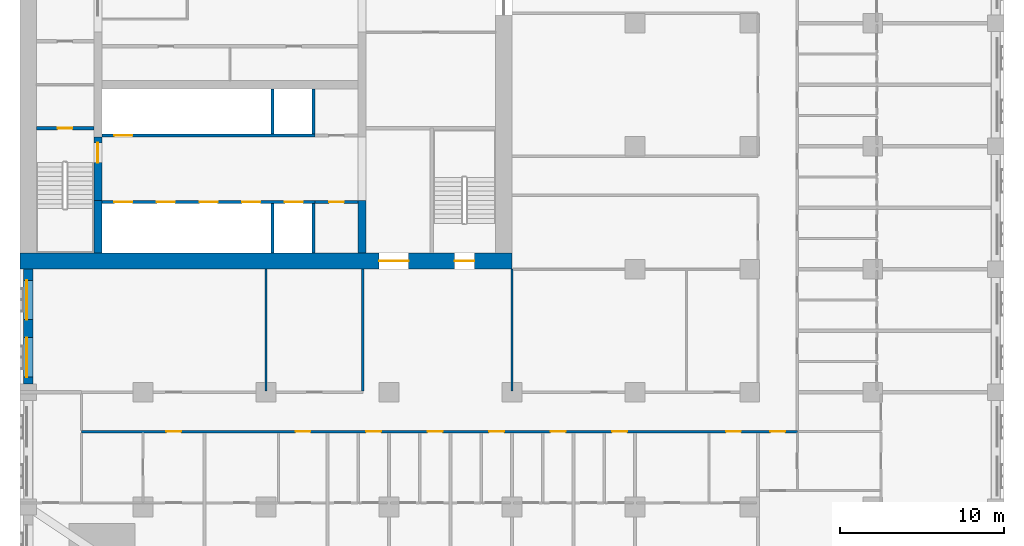
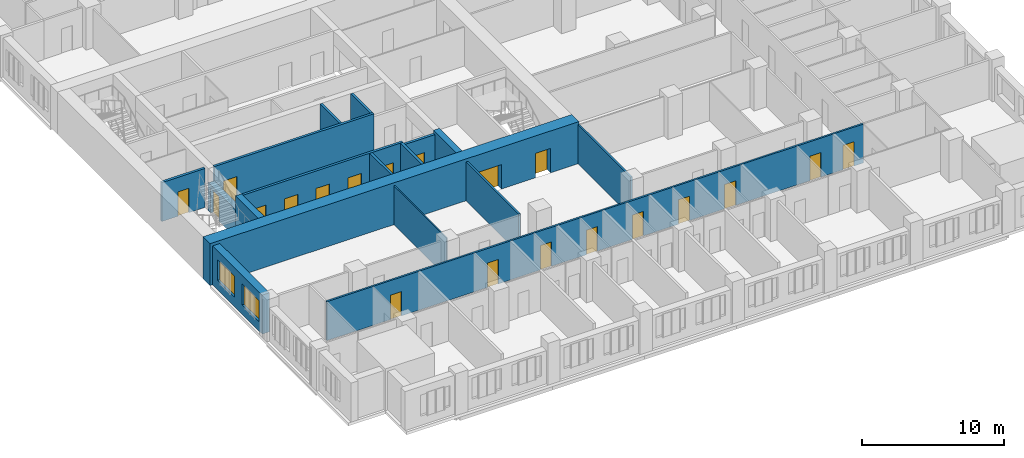
# One storey, part 5 of 15: 20 doors, 17 walls, 2 windows, 22 openings.
"""IFC4 building model written with IfcOpenShell, lengths in metres."""

from ifc_helpers import new_model, si_unit, direction, frame, frame_2d, origin, place, context, subcontext, project, spatial, rectangle, extrude, material, layer, layer_set, type_object, element, fill, save


model = new_model("IFC4")

# Units and contexts
model_context = context("Model", 3, precision=1e-05, world=origin(), true_north=direction((0.0, 1.0)))
body_context = subcontext(model_context, "Body", "Model", "MODEL_VIEW")
ifc_project = project(units=[si_unit("LENGTHUNIT", "METRE"), si_unit("AREAUNIT", "SQUARE_METRE"), si_unit("VOLUMEUNIT", "CUBIC_METRE"), si_unit("PLANEANGLEUNIT", "RADIAN"), si_unit("MASSUNIT", "GRAM", prefix="KILO")], contexts=[model_context])

# Site, building, storey
site_placement = place(None, origin())
site = spatial("IfcSite", under=ifc_project, at=site_placement, CompositionType="ELEMENT")
building_placement = place(site_placement, origin())
building = spatial("IfcBuilding", under=site, at=building_placement, Name="Tamorin Gate", CompositionType="ELEMENT")
storey_placement = place(building_placement, frame((0.0, 0.0, 48.39990234375)))
storey = spatial("IfcBuildingStorey", under=building, at=storey_placement, Name="L10", CompositionType="ELEMENT", Elevation=48.39990234375)

# Wall, openings, windows
ifc_material_1 = material(Name="Precast concrete C40/50", Category="concrete")
ifc_layer_1 = layer(ifc_material_1, 0.60009765625)
ifc_layer_set_1 = layer_set([ifc_layer_1], Name="Precast concrete C40/50")
wall_type_1 = type_object("IfcWallType", Name="Board-marked concrete facade panel 600", PredefinedType="SOLIDWALL", material=ifc_layer_set_1)
wall_1_placement = place(storey_placement, frame((30.5, 60.0, 0.0), z_axis=(0.0, 0.0, 1.0), x_axis=(0.0, -1.0, 0.0)))
wall_1 = element("IfcWall", 1, at=wall_1_placement, inside=storey, type_object=wall_type_1, Name="Facade panel", PredefinedType="SOLIDWALL", context=body_context, shape_type="SweptSolid", body=[
    extrude(rectangle(XDim=7.0, YDim=0.60009765625, at=frame_2d((3.5, 0.0))), origin(), (0.0, 0.0, 1.0), 3.35009765625),
])
opening_1_placement = place(wall_1_placement, frame((4.175048828125, 0.0, 0.800048828125)))
opening_1 = element("IfcOpeningElement", 2, at=opening_1_placement, cuts=wall_1, Name="Opening WN1", PredefinedType="OPENING", context=body_context, shape_type="SweptSolid", body=[
    extrude(rectangle(XDim=2.39990234375, YDim=1.800048828125, at=frame_2d((1.199951171875, 0.89990234375))), frame((0.0, 0.31005859375, 0.0), z_axis=(0.0, -1.0, 0.0), x_axis=(1.0, 0.0, 0.0)), (0.0, 0.0, 1.0), 0.6201171875),
])
opening_2_placement = place(wall_1_placement, frame((0.675048828125, 0.0, 0.800048828125)))
opening_2 = element("IfcOpeningElement", 3, at=opening_2_placement, cuts=wall_1, Name="Opening WN1", PredefinedType="OPENING", context=body_context, shape_type="SweptSolid", body=[
    extrude(rectangle(XDim=2.39990234375, YDim=1.800048828125, at=frame_2d((1.199951171875, 0.89990234375))), frame((0.0, 0.31005859375, 0.0), z_axis=(0.0, -1.0, 0.0), x_axis=(1.0, 0.0, 0.0)), (0.0, 0.0, 1.0), 0.6201171875),
])
ifc_material_2 = material(Name="Clear glass in aluminium frame", Category="aluminium")
window_type = type_object("IfcWindowType", Name="Deep-set window 2400x1800", PartitioningType="SINGLE_PANEL", PredefinedType="WINDOW", material=ifc_material_2)
window_1_placement = place(opening_1_placement, origin())
window_1 = element("IfcWindow", 4, at=window_1_placement, inside=storey, type_object=window_type, Name="Deep-set window", OverallHeight=1.800048828125, OverallWidth=2.39990234375, PartitioningType="SINGLE_PANEL", PredefinedType="WINDOW", context=body_context, shape_type="SweptSolid", body=[
    extrude(rectangle(XDim=2.39990234375, YDim=1.800048828125, at=frame_2d((1.199951171875, 0.89990234375))), frame((0.0, -0.070068359375, 0.0), z_axis=(0.0, -1.0, 0.0), x_axis=(1.0, 0.0, 0.0)), (0.0, 0.0, 1.0), 0.06005859375),
])
fill(opening_1, window_1)
window_2_placement = place(opening_2_placement, origin())
window_2 = element("IfcWindow", 5, at=window_2_placement, inside=storey, type_object=window_type, Name="Deep-set window", OverallHeight=1.800048828125, OverallWidth=2.39990234375, PartitioningType="SINGLE_PANEL", PredefinedType="WINDOW", context=body_context, shape_type="SweptSolid", body=[
    extrude(rectangle(XDim=2.39990234375, YDim=1.800048828125, at=frame_2d((1.199951171875, 0.89990234375))), frame((0.0, -0.070068359375, 0.0), z_axis=(0.0, -1.0, 0.0), x_axis=(1.0, 0.0, 0.0)), (0.0, 0.0, 1.0), 0.06005859375),
])
fill(opening_2, window_2)

# Wall, openings, doors
ifc_material_3 = material(Name="Gypsum board partition")
ifc_layer_2 = layer(ifc_material_3, 0.14990234375)
ifc_layer_set_2 = layer_set([ifc_layer_2], Name="Corridor wall 150")
wall_type_2 = type_object("IfcWallType", Name="Corridor wall 150", PredefinedType="PARTITIONING", material=ifc_layer_set_2)
wall_2_placement = place(storey_placement, frame((33.75, 50.10009765625, 0.0), z_axis=(0.0, 0.0, 1.0), x_axis=(1.0, 0.0, 0.0)))
wall_2 = element("IfcWall", 6, at=wall_2_placement, inside=storey, type_object=wall_type_2, Name="Corridor wall 150", PredefinedType="PARTITIONING", context=body_context, shape_type="SweptSolid", body=[
    extrude(rectangle(XDim=43.64990234375, YDim=0.14990234375, at=frame_2d((21.824951171875, 0.0))), origin(), (0.0, 0.0, 1.0), 3.35009765625),
])
opening_3_placement = place(wall_2_placement, frame((5.175048828125, 0.0, 0.0)))
opening_3 = element("IfcOpeningElement", 7, at=opening_3_placement, cuts=wall_2, Name="Opening DH1003", PredefinedType="OPENING", context=body_context, shape_type="SweptSolid", body=[
    extrude(rectangle(XDim=0.89990234375, YDim=2.10009765625, at=frame_2d((0.449951171875, 1.050048828125))), frame((0.0, 0.0849609375, 0.0), z_axis=(0.0, -1.0, 0.0), x_axis=(1.0, 0.0, 0.0)), (0.0, 0.0, 1.0), 0.169921875),
])
opening_4_placement = place(wall_2_placement, frame((13.050048828125, 0.0, 0.0)))
opening_4 = element("IfcOpeningElement", 8, at=opening_4_placement, cuts=wall_2, Name="Opening DH1006", PredefinedType="OPENING", context=body_context, shape_type="SweptSolid", body=[
    extrude(rectangle(XDim=0.89990234375, YDim=2.10009765625, at=frame_2d((0.449951171875, 1.050048828125))), frame((0.0, 0.0849609375, 0.0), z_axis=(0.0, -1.0, 0.0), x_axis=(1.0, 0.0, 0.0)), (0.0, 0.0, 1.0), 0.169921875),
])
opening_5_placement = place(wall_2_placement, frame((17.362548828125, 0.0, 0.0)))
opening_5 = element("IfcOpeningElement", 9, at=opening_5_placement, cuts=wall_2, Name="Opening DH1009", PredefinedType="OPENING", context=body_context, shape_type="SweptSolid", body=[
    extrude(rectangle(XDim=0.89990234375, YDim=2.10009765625, at=frame_2d((0.449951171875, 1.050048828125))), frame((0.0, 0.0849609375, 0.0), z_axis=(0.0, -1.0, 0.0), x_axis=(1.0, 0.0, 0.0)), (0.0, 0.0, 1.0), 0.169921875),
])
opening_6_placement = place(wall_2_placement, frame((21.112548828125, 0.0, 0.0)))
opening_6 = element("IfcOpeningElement", 10, at=opening_6_placement, cuts=wall_2, Name="Opening DH1012", PredefinedType="OPENING", context=body_context, shape_type="SweptSolid", body=[
    extrude(rectangle(XDim=0.89990234375, YDim=2.10009765625, at=frame_2d((0.449951171875, 1.050048828125))), frame((0.0, 0.0849609375, 0.0), z_axis=(0.0, -1.0, 0.0), x_axis=(1.0, 0.0, 0.0)), (0.0, 0.0, 1.0), 0.169921875),
])
opening_7_placement = place(wall_2_placement, frame((24.862548828125, 0.0, 0.0)))
opening_7 = element("IfcOpeningElement", 11, at=opening_7_placement, cuts=wall_2, Name="Opening DH1015", PredefinedType="OPENING", context=body_context, shape_type="SweptSolid", body=[
    extrude(rectangle(XDim=0.89990234375, YDim=2.10009765625, at=frame_2d((0.449951171875, 1.050048828125))), frame((0.0, 0.0849609375, 0.0), z_axis=(0.0, -1.0, 0.0), x_axis=(1.0, 0.0, 0.0)), (0.0, 0.0, 1.0), 0.169921875),
])
opening_8_placement = place(wall_2_placement, frame((28.612548828125, 0.0, 0.0)))
opening_8 = element("IfcOpeningElement", 12, at=opening_8_placement, cuts=wall_2, Name="Opening DH1018", PredefinedType="OPENING", context=body_context, shape_type="SweptSolid", body=[
    extrude(rectangle(XDim=0.89990234375, YDim=2.10009765625, at=frame_2d((0.449951171875, 1.050048828125))), frame((0.0, 0.0849609375, 0.0), z_axis=(0.0, -1.0, 0.0), x_axis=(1.0, 0.0, 0.0)), (0.0, 0.0, 1.0), 0.169921875),
])
opening_9_placement = place(wall_2_placement, frame((32.362548828125, 0.0, 0.0)))
opening_9 = element("IfcOpeningElement", 13, at=opening_9_placement, cuts=wall_2, Name="Opening DH1021", PredefinedType="OPENING", context=body_context, shape_type="SweptSolid", body=[
    extrude(rectangle(XDim=0.89990234375, YDim=2.10009765625, at=frame_2d((0.449951171875, 1.050048828125))), frame((0.0, 0.0849609375, 0.0), z_axis=(0.0, -1.0, 0.0), x_axis=(1.0, 0.0, 0.0)), (0.0, 0.0, 1.0), 0.169921875),
])
opening_10_placement = place(wall_2_placement, frame((39.300048828125, 0.0, 0.0)))
opening_10 = element("IfcOpeningElement", 14, at=opening_10_placement, cuts=wall_2, Name="Opening DH1024", PredefinedType="OPENING", context=body_context, shape_type="SweptSolid", body=[
    extrude(rectangle(XDim=0.89990234375, YDim=2.10009765625, at=frame_2d((0.449951171875, 1.050048828125))), frame((0.0, 0.0849609375, 0.0), z_axis=(0.0, -1.0, 0.0), x_axis=(1.0, 0.0, 0.0)), (0.0, 0.0, 1.0), 0.169921875),
])
opening_11_placement = place(wall_2_placement, frame((42.0, 0.0, 0.0)))
opening_11 = element("IfcOpeningElement", 15, at=opening_11_placement, cuts=wall_2, Name="Opening DH1081", PredefinedType="OPENING", context=body_context, shape_type="SweptSolid", body=[
    extrude(rectangle(XDim=0.89990234375, YDim=2.10009765625, at=frame_2d((0.449951171875, 1.050048828125))), frame((0.0, 0.0849609375, 0.0), z_axis=(0.0, -1.0, 0.0), x_axis=(1.0, 0.0, 0.0)), (0.0, 0.0, 1.0), 0.169921875),
])
ifc_material_4 = material(Name="Timber door leaf", Category="wood")
door_type_1 = type_object("IfcDoorType", Name="Door 900 x 2100 FD30S", OperationType="NOTDEFINED", PredefinedType="DOOR", material=ifc_material_4)
door_1_placement = place(opening_3_placement, origin())
door_1 = element("IfcDoor", 16, at=door_1_placement, inside=storey, type_object=door_type_1, Name="Door DH1003", OperationType="SINGLE_SWING_RIGHT", OverallHeight=2.10009765625, OverallWidth=0.89990234375, PredefinedType="DOOR", context=body_context, shape_type="SweptSolid", body=[
    extrude(rectangle(XDim=0.89990234375, YDim=2.10009765625, at=frame_2d((0.449951171875, 1.050048828125))), frame((0.0, 0.02490234375, 0.0), z_axis=(0.0, -1.0, 0.0), x_axis=(1.0, 0.0, 0.0)), (0.0, 0.0, 1.0), 0.050048828125),
])
fill(opening_3, door_1)
door_2_placement = place(opening_4_placement, origin())
door_2 = element("IfcDoor", 17, at=door_2_placement, inside=storey, type_object=door_type_1, Name="Door DH1006", OperationType="SINGLE_SWING_RIGHT", OverallHeight=2.10009765625, OverallWidth=0.89990234375, PredefinedType="DOOR", context=body_context, shape_type="SweptSolid", body=[
    extrude(rectangle(XDim=0.89990234375, YDim=2.10009765625, at=frame_2d((0.449951171875, 1.050048828125))), frame((0.0, 0.02490234375, 0.0), z_axis=(0.0, -1.0, 0.0), x_axis=(1.0, 0.0, 0.0)), (0.0, 0.0, 1.0), 0.050048828125),
])
fill(opening_4, door_2)
door_3_placement = place(opening_5_placement, origin())
door_3 = element("IfcDoor", 18, at=door_3_placement, inside=storey, type_object=door_type_1, Name="Door DH1009", OperationType="SINGLE_SWING_RIGHT", OverallHeight=2.10009765625, OverallWidth=0.89990234375, PredefinedType="DOOR", context=body_context, shape_type="SweptSolid", body=[
    extrude(rectangle(XDim=0.89990234375, YDim=2.10009765625, at=frame_2d((0.449951171875, 1.050048828125))), frame((0.0, 0.02490234375, 0.0), z_axis=(0.0, -1.0, 0.0), x_axis=(1.0, 0.0, 0.0)), (0.0, 0.0, 1.0), 0.050048828125),
])
fill(opening_5, door_3)
door_4_placement = place(opening_6_placement, origin())
door_4 = element("IfcDoor", 19, at=door_4_placement, inside=storey, type_object=door_type_1, Name="Door DH1012", OperationType="SINGLE_SWING_RIGHT", OverallHeight=2.10009765625, OverallWidth=0.89990234375, PredefinedType="DOOR", context=body_context, shape_type="SweptSolid", body=[
    extrude(rectangle(XDim=0.89990234375, YDim=2.10009765625, at=frame_2d((0.449951171875, 1.050048828125))), frame((0.0, 0.02490234375, 0.0), z_axis=(0.0, -1.0, 0.0), x_axis=(1.0, 0.0, 0.0)), (0.0, 0.0, 1.0), 0.050048828125),
])
fill(opening_6, door_4)
door_5_placement = place(opening_7_placement, origin())
door_5 = element("IfcDoor", 20, at=door_5_placement, inside=storey, type_object=door_type_1, Name="Door DH1015", OperationType="SINGLE_SWING_RIGHT", OverallHeight=2.10009765625, OverallWidth=0.89990234375, PredefinedType="DOOR", context=body_context, shape_type="SweptSolid", body=[
    extrude(rectangle(XDim=0.89990234375, YDim=2.10009765625, at=frame_2d((0.449951171875, 1.050048828125))), frame((0.0, 0.02490234375, 0.0), z_axis=(0.0, -1.0, 0.0), x_axis=(1.0, 0.0, 0.0)), (0.0, 0.0, 1.0), 0.050048828125),
])
fill(opening_7, door_5)
door_6_placement = place(opening_8_placement, origin())
door_6 = element("IfcDoor", 21, at=door_6_placement, inside=storey, type_object=door_type_1, Name="Door DH1018", OperationType="SINGLE_SWING_RIGHT", OverallHeight=2.10009765625, OverallWidth=0.89990234375, PredefinedType="DOOR", context=body_context, shape_type="SweptSolid", body=[
    extrude(rectangle(XDim=0.89990234375, YDim=2.10009765625, at=frame_2d((0.449951171875, 1.050048828125))), frame((0.0, 0.02490234375, 0.0), z_axis=(0.0, -1.0, 0.0), x_axis=(1.0, 0.0, 0.0)), (0.0, 0.0, 1.0), 0.050048828125),
])
fill(opening_8, door_6)
door_7_placement = place(opening_9_placement, origin())
door_7 = element("IfcDoor", 22, at=door_7_placement, inside=storey, type_object=door_type_1, Name="Door DH1021", OperationType="SINGLE_SWING_RIGHT", OverallHeight=2.10009765625, OverallWidth=0.89990234375, PredefinedType="DOOR", context=body_context, shape_type="SweptSolid", body=[
    extrude(rectangle(XDim=0.89990234375, YDim=2.10009765625, at=frame_2d((0.449951171875, 1.050048828125))), frame((0.0, 0.02490234375, 0.0), z_axis=(0.0, -1.0, 0.0), x_axis=(1.0, 0.0, 0.0)), (0.0, 0.0, 1.0), 0.050048828125),
])
fill(opening_9, door_7)
door_8_placement = place(opening_10_placement, origin())
door_8 = element("IfcDoor", 23, at=door_8_placement, inside=storey, type_object=door_type_1, Name="Door DH1024", OperationType="SINGLE_SWING_RIGHT", OverallHeight=2.10009765625, OverallWidth=0.89990234375, PredefinedType="DOOR", context=body_context, shape_type="SweptSolid", body=[
    extrude(rectangle(XDim=0.89990234375, YDim=2.10009765625, at=frame_2d((0.449951171875, 1.050048828125))), frame((0.0, 0.02490234375, 0.0), z_axis=(0.0, -1.0, 0.0), x_axis=(1.0, 0.0, 0.0)), (0.0, 0.0, 1.0), 0.050048828125),
])
fill(opening_10, door_8)
door_9_placement = place(opening_11_placement, origin())
door_9 = element("IfcDoor", 24, at=door_9_placement, inside=storey, type_object=door_type_1, Name="Door DH1081", OperationType="SINGLE_SWING_LEFT", OverallHeight=2.10009765625, OverallWidth=0.89990234375, PredefinedType="DOOR", context=body_context, shape_type="SweptSolid", body=[
    extrude(rectangle(XDim=0.89990234375, YDim=2.10009765625, at=frame_2d((0.449951171875, 1.050048828125))), frame((0.0, 0.02490234375, 0.0), z_axis=(0.0, -1.0, 0.0), x_axis=(1.0, 0.0, 0.0)), (0.0, 0.0, 1.0), 0.050048828125),
])
fill(opening_11, door_9)

ifc_material_5 = material(Name="Concrete C32/40", Category="concrete")
ifc_layer_3 = layer(ifc_material_5, 0.199951171875)
ifc_layer_set_3 = layer_set([ifc_layer_3], Name="Lift lobby face wall 200 EI 120")
wall_type_3 = type_object("IfcWallType", Name="Lift lobby face wall 200 EI 120", PredefinedType="SOLIDWALL", material=ifc_layer_set_3)
wall_3_placement = place(storey_placement, frame((35.0, 64.10009765625, 0.0), z_axis=(0.0, 0.0, 1.0), x_axis=(1.0, 0.0, 0.0)))
wall_3 = element("IfcWall", 25, at=wall_3_placement, inside=storey, type_object=wall_type_3, Name="Lift lobby face wall", PredefinedType="SOLIDWALL", context=body_context, shape_type="SweptSolid", body=[
    extrude(rectangle(XDim=13.0, YDim=0.199951171875, at=frame_2d((6.5, 0.0))), origin(), (0.0, 0.0, 1.0), 3.60009765625),
])
opening_12_placement = place(wall_3_placement, frame((0.75, 0.0, 0.0)))
opening_12 = element("IfcOpeningElement", 26, at=opening_12_placement, cuts=wall_3, Name="Opening LD1", PredefinedType="OPENING", context=body_context, shape_type="SweptSolid", body=[
    extrude(rectangle(XDim=1.10009765625, YDim=2.10009765625, at=frame_2d((0.550048828125, 1.050048828125))), frame((0.0, 0.10986328125, 0.0), z_axis=(0.0, -1.0, 0.0), x_axis=(1.0, 0.0, 0.0)), (0.0, 0.0, 1.0), 0.219970703125),
])
opening_13_placement = place(wall_3_placement, frame((3.35009765625, 0.0, 0.0)))
opening_13 = element("IfcOpeningElement", 27, at=opening_13_placement, cuts=wall_3, Name="Opening LD2", PredefinedType="OPENING", context=body_context, shape_type="SweptSolid", body=[
    extrude(rectangle(XDim=1.10009765625, YDim=2.10009765625, at=frame_2d((0.550048828125, 1.050048828125))), frame((0.0, 0.10986328125, 0.0), z_axis=(0.0, -1.0, 0.0), x_axis=(1.0, 0.0, 0.0)), (0.0, 0.0, 1.0), 0.219970703125),
])
opening_14_placement = place(wall_3_placement, frame((5.949951171875, 0.0, 0.0)))
opening_14 = element("IfcOpeningElement", 28, at=opening_14_placement, cuts=wall_3, Name="Opening LD3", PredefinedType="OPENING", context=body_context, shape_type="SweptSolid", body=[
    extrude(rectangle(XDim=1.10009765625, YDim=2.10009765625, at=frame_2d((0.550048828125, 1.050048828125))), frame((0.0, 0.10986328125, 0.0), z_axis=(0.0, -1.0, 0.0), x_axis=(1.0, 0.0, 0.0)), (0.0, 0.0, 1.0), 0.219970703125),
])
opening_15_placement = place(wall_3_placement, frame((8.550048828125, 0.0, 0.0)))
opening_15 = element("IfcOpeningElement", 29, at=opening_15_placement, cuts=wall_3, Name="Opening LD4", PredefinedType="OPENING", context=body_context, shape_type="SweptSolid", body=[
    extrude(rectangle(XDim=1.10009765625, YDim=2.10009765625, at=frame_2d((0.550048828125, 1.050048828125))), frame((0.0, 0.10986328125, 0.0), z_axis=(0.0, -1.0, 0.0), x_axis=(1.0, 0.0, 0.0)), (0.0, 0.0, 1.0), 0.219970703125),
])
opening_16_placement = place(wall_3_placement, frame((11.14990234375, 0.0, 0.0)))
opening_16 = element("IfcOpeningElement", 30, at=opening_16_placement, cuts=wall_3, Name="Opening LD5", PredefinedType="OPENING", context=body_context, shape_type="SweptSolid", body=[
    extrude(rectangle(XDim=1.10009765625, YDim=2.10009765625, at=frame_2d((0.550048828125, 1.050048828125))), frame((0.0, 0.10986328125, 0.0), z_axis=(0.0, -1.0, 0.0), x_axis=(1.0, 0.0, 0.0)), (0.0, 0.0, 1.0), 0.219970703125),
])
ifc_material_6 = material(Name="Stainless steel sliding door", Category="steel")
door_type_2 = type_object("IfcDoorType", Name="Lift landing door 1100 x 2100 E 90", OperationType="DOUBLE_DOOR_SLIDING", PredefinedType="DOOR", material=ifc_material_6)
door_10_placement = place(opening_12_placement, origin())
door_10 = element("IfcDoor", 31, at=door_10_placement, inside=storey, type_object=door_type_2, Name="LR1 landing door", OperationType="DOUBLE_DOOR_SLIDING", OverallHeight=2.10009765625, OverallWidth=1.10009765625, PredefinedType="DOOR", context=body_context, shape_type="SweptSolid", body=[
    extrude(rectangle(XDim=1.10009765625, YDim=2.10009765625, at=frame_2d((0.550048828125, 1.050048828125))), frame((0.0, 0.02490234375, 0.0), z_axis=(0.0, -1.0, 0.0), x_axis=(1.0, 0.0, 0.0)), (0.0, 0.0, 1.0), 0.050048828125),
])
fill(opening_12, door_10)
door_11_placement = place(opening_13_placement, origin())
door_11 = element("IfcDoor", 32, at=door_11_placement, inside=storey, type_object=door_type_2, Name="LR2 landing door", OperationType="DOUBLE_DOOR_SLIDING", OverallHeight=2.10009765625, OverallWidth=1.10009765625, PredefinedType="DOOR", context=body_context, shape_type="SweptSolid", body=[
    extrude(rectangle(XDim=1.10009765625, YDim=2.10009765625, at=frame_2d((0.550048828125, 1.050048828125))), frame((0.0, 0.02490234375, 0.0), z_axis=(0.0, -1.0, 0.0), x_axis=(1.0, 0.0, 0.0)), (0.0, 0.0, 1.0), 0.050048828125),
])
fill(opening_13, door_11)
door_12_placement = place(opening_14_placement, origin())
door_12 = element("IfcDoor", 33, at=door_12_placement, inside=storey, type_object=door_type_2, Name="LR3 landing door", OperationType="DOUBLE_DOOR_SLIDING", OverallHeight=2.10009765625, OverallWidth=1.10009765625, PredefinedType="DOOR", context=body_context, shape_type="SweptSolid", body=[
    extrude(rectangle(XDim=1.10009765625, YDim=2.10009765625, at=frame_2d((0.550048828125, 1.050048828125))), frame((0.0, 0.02490234375, 0.0), z_axis=(0.0, -1.0, 0.0), x_axis=(1.0, 0.0, 0.0)), (0.0, 0.0, 1.0), 0.050048828125),
])
fill(opening_14, door_12)
door_13_placement = place(opening_15_placement, origin())
door_13 = element("IfcDoor", 34, at=door_13_placement, inside=storey, type_object=door_type_2, Name="LR4 landing door", OperationType="DOUBLE_DOOR_SLIDING", OverallHeight=2.10009765625, OverallWidth=1.10009765625, PredefinedType="DOOR", context=body_context, shape_type="SweptSolid", body=[
    extrude(rectangle(XDim=1.10009765625, YDim=2.10009765625, at=frame_2d((0.550048828125, 1.050048828125))), frame((0.0, 0.02490234375, 0.0), z_axis=(0.0, -1.0, 0.0), x_axis=(1.0, 0.0, 0.0)), (0.0, 0.0, 1.0), 0.050048828125),
])
fill(opening_15, door_13)
door_14_placement = place(opening_16_placement, origin())
door_14 = element("IfcDoor", 35, at=door_14_placement, inside=storey, type_object=door_type_2, Name="LR5 landing door", OperationType="DOUBLE_DOOR_SLIDING", OverallHeight=2.10009765625, OverallWidth=1.10009765625, PredefinedType="DOOR", context=body_context, shape_type="SweptSolid", body=[
    extrude(rectangle(XDim=1.10009765625, YDim=2.10009765625, at=frame_2d((0.550048828125, 1.050048828125))), frame((0.0, 0.02490234375, 0.0), z_axis=(0.0, -1.0, 0.0), x_axis=(1.0, 0.0, 0.0)), (0.0, 0.0, 1.0), 0.050048828125),
])
fill(opening_16, door_14)

# Wall, opening, door
wall_4_placement = place(storey_placement, frame((35.0, 68.14990234375, 0.0), z_axis=(0.0, 0.0, 1.0), x_axis=(1.0, 0.0, 0.0)))
wall_4 = element("IfcWall", 36, at=wall_4_placement, inside=storey, type_object=wall_type_3, Name="Lift lobby face wall", PredefinedType="SOLIDWALL", context=body_context, shape_type="SweptSolid", body=[
    extrude(rectangle(XDim=13.0, YDim=0.199951171875, at=frame_2d((6.5, 0.0))), origin(), (0.0, 0.0, 1.0), 3.60009765625),
])
opening_17_placement = place(wall_4_placement, frame((0.75, 0.0, 0.0)))
opening_17 = element("IfcOpeningElement", 37, at=opening_17_placement, cuts=wall_4, Name="Opening LD6", PredefinedType="OPENING", context=body_context, shape_type="SweptSolid", body=[
    extrude(rectangle(XDim=1.10009765625, YDim=2.10009765625, at=frame_2d((0.550048828125, 1.050048828125))), frame((0.0, 0.10986328125, 0.0), z_axis=(0.0, -1.0, 0.0), x_axis=(1.0, 0.0, 0.0)), (0.0, 0.0, 1.0), 0.219970703125),
])
door_15_placement = place(opening_17_placement, origin())
door_15 = element("IfcDoor", 38, at=door_15_placement, inside=storey, type_object=door_type_2, Name="LR6 landing door", OperationType="DOUBLE_DOOR_SLIDING", OverallHeight=2.10009765625, OverallWidth=1.10009765625, PredefinedType="DOOR", context=body_context, shape_type="SweptSolid", body=[
    extrude(rectangle(XDim=1.10009765625, YDim=2.10009765625, at=frame_2d((0.550048828125, 1.050048828125))), frame((0.0, 0.02490234375, 0.0), z_axis=(0.0, -1.0, 0.0), x_axis=(1.0, 0.0, 0.0)), (0.0, 0.0, 1.0), 0.050048828125),
])
fill(opening_17, door_15)

# Walls
ifc_layer_4 = layer(ifc_material_5, 0.199951171875)
ifc_layer_set_4 = layer_set([ifc_layer_4], Name="Lift shaft wall 200 EI 120")
wall_type_4 = type_object("IfcWallType", Name="Lift shaft wall 200 EI 120", PredefinedType="SOLIDWALL", material=ifc_layer_set_4)
for number, where, z_axis, x_axis, name in (
    (39, (45.39990234375, 61.0, 0.0), (0.0, 0.0, 1.0), (0.0, 1.0, 0.0), "Lift shaft wall"),
    (40, (47.89990234375, 61.0, 0.0), (0.0, 0.0, 1.0), (0.0, 1.0, 0.0), "Lift shaft wall"),
):
    element("IfcWall", number, at=place(storey_placement, frame(where, z_axis=z_axis, x_axis=x_axis)), inside=storey, type_object=wall_type_4, Name=name, PredefinedType="SOLIDWALL", context=body_context, shape_type="SweptSolid", body=[
        extrude(rectangle(XDim=3.0, YDim=0.199951171875, at=frame_2d((1.5, 0.0))), origin(), (0.0, 0.0, 1.0), 3.60009765625),
    ])
for number, where, z_axis, x_axis, name in (
    (41, (45.39990234375, 68.25, 0.0), (0.0, 0.0, 1.0), (0.0, 1.0, 0.0), "Lift shaft wall"),
    (42, (47.89990234375, 68.25, 0.0), (0.0, 0.0, 1.0), (0.0, 1.0, 0.0), "Lift shaft wall"),
):
    element("IfcWall", number, at=place(storey_placement, frame(where, z_axis=z_axis, x_axis=x_axis)), inside=storey, type_object=wall_type_4, Name=name, PredefinedType="SOLIDWALL", context=body_context, shape_type="SweptSolid", body=[
        extrude(rectangle(XDim=2.75, YDim=0.199951171875, at=frame_2d((1.375, 0.0))), origin(), (0.0, 0.0, 1.0), 3.60009765625),
    ])
ifc_layer_5 = layer(ifc_material_3, 0.14990234375)
ifc_layer_set_5 = layer_set([ifc_layer_5], Name="Lobby wall 150")
wall_type_5 = type_object("IfcWallType", Name="Lobby wall 150", PredefinedType="PARTITIONING", material=ifc_layer_set_5)
for number, where, z_axis, x_axis, name in (
    (43, (50.89990234375, 52.574951171875, 0.0), (0.0, 0.0, 1.0), (0.0, 1.0, 0.0), "Lobby wall 150"),
    (44, (60.0, 52.574951171875, 0.0), (0.0, 0.0, 1.0), (0.0, 1.0, 0.0), "Lobby wall 150"),
):
    element("IfcWall", number, at=place(storey_placement, frame(where, z_axis=z_axis, x_axis=x_axis)), inside=storey, type_object=wall_type_5, Name=name, PredefinedType="PARTITIONING", context=body_context, shape_type="SweptSolid", body=[
        extrude(rectangle(XDim=7.425048828125, YDim=0.14990234375, at=frame_2d((3.71240234375, 0.0))), origin(), (0.0, 0.0, 1.0), 3.35009765625),
    ])
ifc_material_7 = material(Name="Concrete C80/95", Category="concrete")
ifc_layer_6 = layer(ifc_material_7, 0.5)
ifc_layer_set_6 = layer_set([ifc_layer_6], Name="RC core internal wall 500 C80/95")
wall_type_6 = type_object("IfcWallType", Name="RC core internal wall 500 C80/95", PredefinedType="SHEAR", material=ifc_layer_set_6)
for number, where, z_axis, x_axis, name in (
    (45, (34.75, 61.0, 0.0), (0.0, 0.0, 1.0), (0.0, 1.0, 0.0), "Core cross wall L10"),
    (46, (50.85009765625, 61.0, 0.0), (0.0, 0.0, 1.0), (0.0, 1.0, 0.0), "Core cross wall L10"),
):
    element("IfcWall", number, at=place(storey_placement, frame(where, z_axis=z_axis, x_axis=x_axis)), inside=storey, type_object=wall_type_6, Name=name, PredefinedType="SHEAR", context=body_context, shape_type="SweptSolid", body=[
        extrude(rectangle(XDim=3.199951171875, YDim=0.5, at=frame_2d((1.60009765625, 0.0))), origin(), (0.0, 0.0, 1.0), 3.60009765625),
    ])

# Wall, openings, doors
ifc_layer_7 = layer(ifc_material_7, 1.0)
ifc_layer_set_7 = layer_set([ifc_layer_7], Name="RC core wall 1000 C80/95")
wall_type_7 = type_object("IfcWallType", Name="RC core wall 1000 C80/95", PredefinedType="SHEAR", material=ifc_layer_set_7)
wall_5_placement = place(storey_placement, frame((30.0, 60.5, 0.0), z_axis=(0.0, 0.0, 1.0), x_axis=(1.0, 0.0, 0.0)))
wall_5 = element("IfcWall", 47, at=wall_5_placement, inside=storey, type_object=wall_type_7, Name="Core wall L10", PredefinedType="SHEAR", context=body_context, shape_type="SweptSolid", body=[
    extrude(rectangle(XDim=30.0, YDim=1.0, at=frame_2d((15.0, 0.0))), origin(), (0.0, 0.0, 1.0), 3.60009765625),
])
opening_18_placement = place(wall_5_placement, frame((21.89990234375, 0.0, 0.0)))
opening_18 = element("IfcOpeningElement", 48, at=opening_18_placement, cuts=wall_5, Name="Opening DE1", PredefinedType="OPENING", context=body_context, shape_type="SweptSolid", body=[
    extrude(rectangle(XDim=1.800048828125, YDim=2.10009765625, at=frame_2d((0.89990234375, 1.050048828125))), frame((0.0, 0.510009765625, 0.0), z_axis=(0.0, -1.0, 0.0), x_axis=(1.0, 0.0, 0.0)), (0.0, 0.0, 1.0), 1.02001953125),
])
opening_19_placement = place(wall_5_placement, frame((26.5, 0.0, 0.0)))
opening_19 = element("IfcOpeningElement", 49, at=opening_19_placement, cuts=wall_5, Name="Opening DS1", PredefinedType="OPENING", context=body_context, shape_type="SweptSolid", body=[
    extrude(rectangle(XDim=1.199951171875, YDim=2.10009765625, at=frame_2d((0.60009765625, 1.050048828125))), frame((0.0, 0.510009765625, 0.0), z_axis=(0.0, -1.0, 0.0), x_axis=(1.0, 0.0, 0.0)), (0.0, 0.0, 1.0), 1.02001953125),
])
ifc_material_8 = material(Name="Steel fire door", Category="steel")
door_type_3 = type_object("IfcDoorType", Name="Lobby exit double door 1800 x 2100 EI 60", OperationType="DOUBLE_DOOR_SINGLE_SWING", PredefinedType="DOOR", material=ifc_material_8)
door_16_placement = place(opening_18_placement, origin())
door_16 = element("IfcDoor", 50, at=door_16_placement, inside=storey, type_object=door_type_3, Name="Lift lobby A exit door", OperationType="DOUBLE_DOOR_SINGLE_SWING", OverallHeight=2.10009765625, OverallWidth=1.800048828125, PredefinedType="DOOR", context=body_context, shape_type="SweptSolid", body=[
    extrude(rectangle(XDim=1.800048828125, YDim=2.10009765625, at=frame_2d((0.89990234375, 1.050048828125))), frame((0.0, 0.02490234375, 0.0), z_axis=(0.0, -1.0, 0.0), x_axis=(1.0, 0.0, 0.0)), (0.0, 0.0, 1.0), 0.050048828125),
])
fill(opening_18, door_16)
door_type_4 = type_object("IfcDoorType", Name="Stair door 1200 x 2100 EI 90", OperationType="SINGLE_SWING_LEFT", PredefinedType="DOOR", material=ifc_material_8)
door_17_placement = place(opening_19_placement, origin())
door_17 = element("IfcDoor", 51, at=door_17_placement, inside=storey, type_object=door_type_4, Name="ST3 door", OperationType="SINGLE_SWING_LEFT", OverallHeight=2.10009765625, OverallWidth=1.199951171875, PredefinedType="DOOR", context=body_context, shape_type="SweptSolid", body=[
    extrude(rectangle(XDim=1.199951171875, YDim=2.10009765625, at=frame_2d((0.60009765625, 1.050048828125))), frame((0.0, 0.02490234375, 0.0), z_axis=(0.0, -1.0, 0.0), x_axis=(1.0, 0.0, 0.0)), (0.0, 0.0, 1.0), 0.050048828125),
])
fill(opening_19, door_17)

# Wall
ifc_layer_8 = layer(ifc_material_3, 0.10009765625)
ifc_layer_set_8 = layer_set([ifc_layer_8], Name="Room partition 100")
wall_type_8 = type_object("IfcWallType", Name="Room partition 100", PredefinedType="PARTITIONING", material=ifc_layer_set_8)
wall_6_placement = place(storey_placement, frame((45.0, 52.574951171875, 0.0), z_axis=(0.0, 0.0, 1.0), x_axis=(0.0, 1.0, 0.0)))
element("IfcWall", 52, at=wall_6_placement, inside=storey, type_object=wall_type_8, Name="Room partition 100", PredefinedType="PARTITIONING", context=body_context, shape_type="SweptSolid", body=[
    extrude(rectangle(XDim=7.425048828125, YDim=0.10009765625, at=frame_2d((3.71240234375, 0.0))), origin(), (0.0, 0.0, 1.0), 3.35009765625),
])

# Wall, opening, door
ifc_layer_9 = layer(ifc_material_3, 0.199951171875)
ifc_layer_set_9 = layer_set([ifc_layer_9], Name="Service room face wall 200 EI 60")
wall_type_9 = type_object("IfcWallType", Name="Service room face wall 200 EI 60", PredefinedType="PARTITIONING", material=ifc_layer_set_9)
wall_7_placement = place(storey_placement, frame((48.0, 64.10009765625, 0.0), z_axis=(0.0, 0.0, 1.0), x_axis=(1.0, 0.0, 0.0)))
wall_7 = element("IfcWall", 53, at=wall_7_placement, inside=storey, type_object=wall_type_9, Name="Service room face wall", PredefinedType="PARTITIONING", context=body_context, shape_type="SweptSolid", body=[
    extrude(rectangle(XDim=2.60009765625, YDim=0.199951171875, at=frame_2d((1.300048828125, 0.0))), origin(), (0.0, 0.0, 1.0), 3.35009765625),
])
opening_20_placement = place(wall_7_placement, frame((0.85009765625, 0.0, 0.0)))
opening_20 = element("IfcOpeningElement", 54, at=opening_20_placement, cuts=wall_7, Name="Opening DK1", PredefinedType="OPENING", context=body_context, shape_type="SweptSolid", body=[
    extrude(rectangle(XDim=0.89990234375, YDim=2.10009765625, at=frame_2d((0.449951171875, 1.050048828125))), frame((0.0, 0.10986328125, 0.0), z_axis=(0.0, -1.0, 0.0), x_axis=(1.0, 0.0, 0.0)), (0.0, 0.0, 1.0), 0.219970703125),
])
ifc_material_9 = material(Name="Timber fire door", Category="wood")
door_type_5 = type_object("IfcDoorType", Name="Service room door 900 x 2100 EI 60", OperationType="SINGLE_SWING_LEFT", PredefinedType="DOOR", material=ifc_material_9)
door_18_placement = place(opening_20_placement, origin())
door_18 = element("IfcDoor", 55, at=door_18_placement, inside=storey, type_object=door_type_5, Name="Door Pantry", OperationType="SINGLE_SWING_RIGHT", OverallHeight=2.10009765625, OverallWidth=0.89990234375, PredefinedType="DOOR", context=body_context, shape_type="SweptSolid", body=[
    extrude(rectangle(XDim=0.89990234375, YDim=2.10009765625, at=frame_2d((0.449951171875, 1.050048828125))), frame((0.0, 0.02490234375, 0.0), z_axis=(0.0, -1.0, 0.0), x_axis=(1.0, 0.0, 0.0)), (0.0, 0.0, 1.0), 0.050048828125),
])
fill(opening_20, door_18)

ifc_material_10 = material(Name="Concrete C40/50", Category="concrete")
ifc_layer_10 = layer(ifc_material_10, 0.199951171875)
ifc_layer_set_10 = layer_set([ifc_layer_10], Name="Stair enclosure wall 200 EI 120 C40/50")
wall_type_10 = type_object("IfcWallType", Name="Stair enclosure wall 200 EI 120 C40/50", PredefinedType="SOLIDWALL", material=ifc_layer_set_10)
wall_8_placement = place(storey_placement, frame((31.0, 68.60009765625, 0.0), z_axis=(0.0, 0.0, 1.0), x_axis=(1.0, 0.0, 0.0)))
wall_8 = element("IfcWall", 56, at=wall_8_placement, inside=storey, type_object=wall_type_10, Name="Stair enclosure wall", PredefinedType="SOLIDWALL", context=body_context, shape_type="SweptSolid", body=[
    extrude(rectangle(XDim=3.5, YDim=0.199951171875, at=frame_2d((1.75, 0.0))), origin(), (0.0, 0.0, 1.0), 3.35009765625),
])
opening_21_placement = place(wall_8_placement, frame((1.300048828125, 0.0, 0.0)))
opening_21 = element("IfcOpeningElement", 57, at=opening_21_placement, cuts=wall_8, Name="Opening DR1", PredefinedType="OPENING", context=body_context, shape_type="SweptSolid", body=[
    extrude(rectangle(XDim=0.89990234375, YDim=2.10009765625, at=frame_2d((0.449951171875, 1.050048828125))), frame((0.0, 0.10986328125, 0.0), z_axis=(0.0, -1.0, 0.0), x_axis=(1.0, 0.0, 0.0)), (0.0, 0.0, 1.0), 0.219970703125),
])
door_type_6 = type_object("IfcDoorType", Name="Riser access door 900 x 2100 EI 120", OperationType="SINGLE_SWING_LEFT", PredefinedType="DOOR", material=ifc_material_8)
door_19_placement = place(opening_21_placement, origin())
door_19 = element("IfcDoor", 58, at=door_19_placement, inside=storey, type_object=door_type_6, Name="Electrical riser door", OperationType="SINGLE_SWING_LEFT", OverallHeight=2.10009765625, OverallWidth=0.89990234375, PredefinedType="DOOR", context=body_context, shape_type="SweptSolid", body=[
    extrude(rectangle(XDim=0.89990234375, YDim=2.10009765625, at=frame_2d((0.449951171875, 1.050048828125))), frame((0.0, 0.02490234375, 0.0), z_axis=(0.0, -1.0, 0.0), x_axis=(1.0, 0.0, 0.0)), (0.0, 0.0, 1.0), 0.050048828125),
])
fill(opening_21, door_19)

ifc_layer_11 = layer(ifc_material_5, 0.5)
ifc_layer_set_11 = layer_set([ifc_layer_11], Name="Stair lobby infill wall 500 EI 120")
wall_type_11 = type_object("IfcWallType", Name="Stair lobby infill wall 500 EI 120", PredefinedType="SOLIDWALL", material=ifc_layer_set_11)
wall_9_placement = place(storey_placement, frame((34.75, 64.199951171875, 0.0), z_axis=(0.0, 0.0, 1.0), x_axis=(0.0, 1.0, 0.0)))
wall_9 = element("IfcWall", 59, at=wall_9_placement, inside=storey, type_object=wall_type_11, Name="Stair lobby infill wall", PredefinedType="SOLIDWALL", context=body_context, shape_type="SweptSolid", body=[
    extrude(rectangle(XDim=3.85009765625, YDim=0.5, at=frame_2d((1.925048828125, 0.0))), origin(), (0.0, 0.0, 1.0), 2.400146484375),
])
opening_22_placement = place(wall_9_placement, frame((2.300048828125, 0.0, 0.0)))
opening_22 = element("IfcOpeningElement", 60, at=opening_22_placement, cuts=wall_9, Name="Opening DS1", PredefinedType="OPENING", context=body_context, shape_type="SweptSolid", body=[
    extrude(rectangle(XDim=1.199951171875, YDim=2.10009765625, at=frame_2d((0.60009765625, 1.050048828125))), frame((0.0, 0.260009765625, 0.0), z_axis=(0.0, -1.0, 0.0), x_axis=(1.0, 0.0, 0.0)), (0.0, 0.0, 1.0), 0.52001953125),
])
door_20_placement = place(opening_22_placement, origin())
door_20 = element("IfcDoor", 61, at=door_20_placement, inside=storey, type_object=door_type_4, Name="ST1 door", OperationType="SINGLE_SWING_LEFT", OverallHeight=2.10009765625, OverallWidth=1.199951171875, PredefinedType="DOOR", context=body_context, shape_type="SweptSolid", body=[
    extrude(rectangle(XDim=1.199951171875, YDim=2.10009765625, at=frame_2d((0.60009765625, 1.050048828125))), frame((0.0, 0.02490234375, 0.0), z_axis=(0.0, -1.0, 0.0), x_axis=(1.0, 0.0, 0.0)), (0.0, 0.0, 1.0), 0.050048828125),
])
fill(opening_22, door_20)

save(model, "model.ifc")
